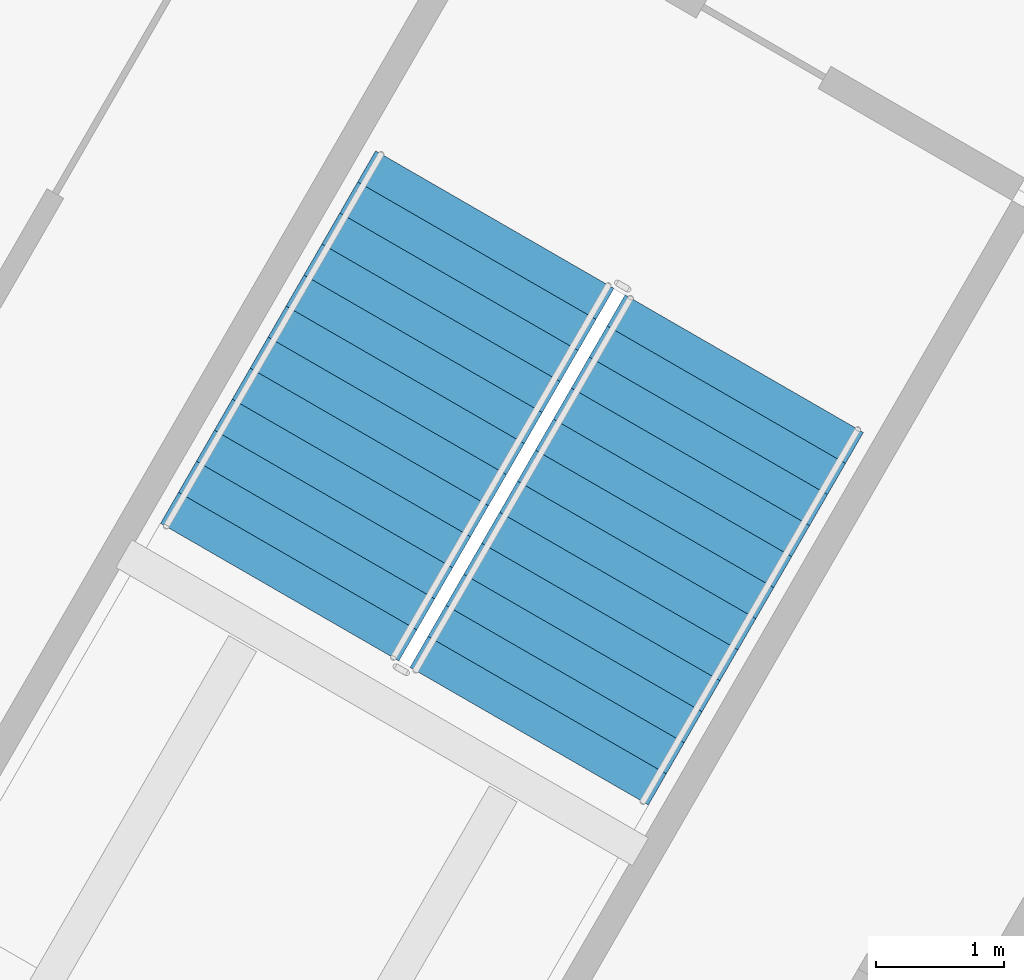
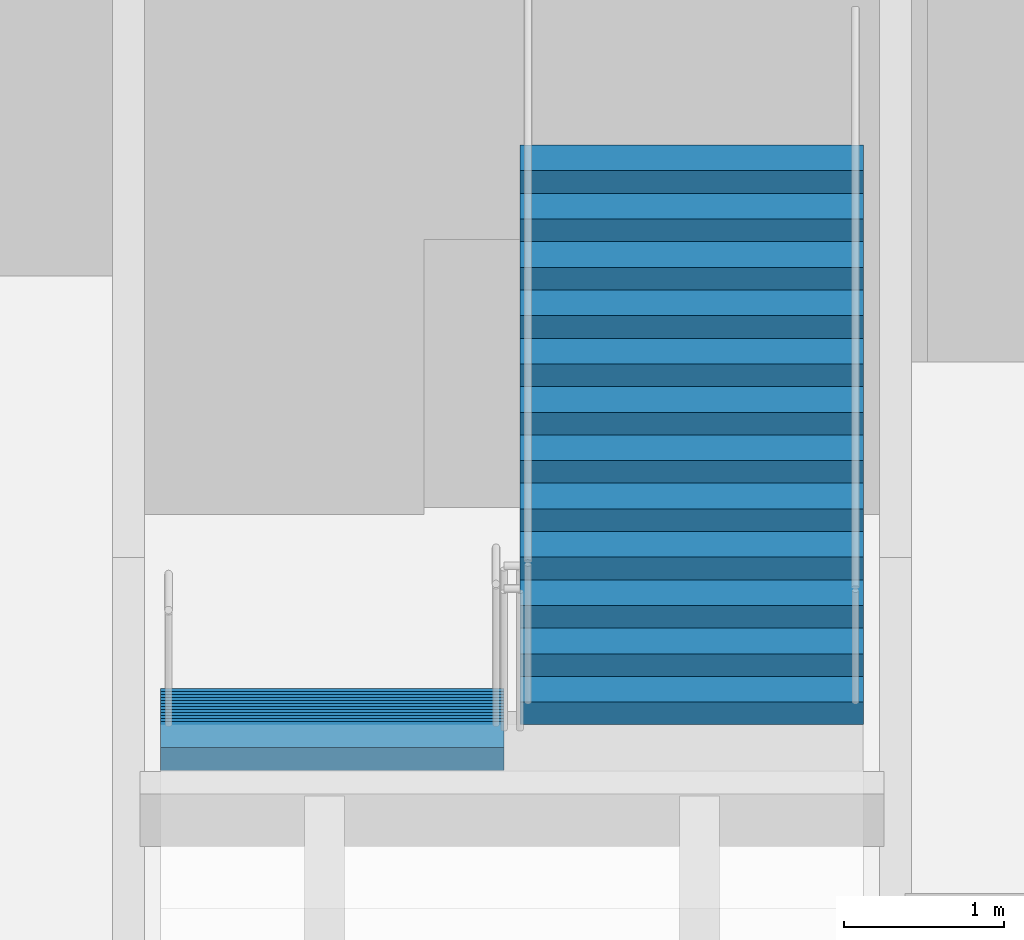
# One storey, part 11 of 21: 2 stair flights, 1 element without a shape of its own.
"""IFC4 building model written with IfcOpenShell, lengths in metres."""

import ifcopenshell
import ifcopenshell.guid

model = None  # the IFC model being written
_history = None  # IfcOwnerHistory: only IFC2X3 demands one
_inside = {}  # id of a spatial element -> (the spatial element, [elements in it])
_under = {}  # id of a project, library or spatial element -> (it, [spatial elements below it])
_declared = {}  # id of a project -> (the project, [libraries it declares])
_typed = {}  # id of a type object -> (the type object, [elements of that type])
_made_of = {}  # id of a material, layer set ... -> (it, [elements and type objects made of it])


def new_model(schema):
    """Start an empty IFC model of exactly this schema.

    Asked for "IFC4X3", IfcOpenShell would pick the latest addendum, in which some entities
    have other attributes; the version numbers below select the first issue.
    IFC2X3 requires an IfcOwnerHistory on every rooted entity: one is made here for all.
    """
    global model, _history
    if schema == "IFC4X3":
        model = ifcopenshell.file(schema_version=(4, 3, 0, 0))
    else:
        model = ifcopenshell.file(schema=schema)
    _inside.clear()
    _under.clear()
    _declared.clear()
    _typed.clear()
    _made_of.clear()
    _history = None
    if model.schema == "IFC2X3":
        org = make("IfcOrganization", Name="unknown")
        user = make(
            "IfcPersonAndOrganization",
            ThePerson=make("IfcPerson", FamilyName="unknown"),
            TheOrganization=org,
        )
        app = make(
            "IfcApplication",
            ApplicationDeveloper=org,
            Version="unknown",
            ApplicationFullName="unknown",
            ApplicationIdentifier="unknown",
        )
        _history = make(
            "IfcOwnerHistory",
            OwningUser=user,
            OwningApplication=app,
            ChangeAction="ADDED",
            CreationDate=0,
        )
    return model


def make(cls, **values):
    """One entity of the class cls with the attributes given. An attribute that is None is left unset."""
    return model.create_entity(
        cls, **{name: value for name, value in values.items() if value is not None}
    )


def rooted(cls, **values):
    """An entity with a GlobalId (a new one), such as an element, a storey or a relation."""
    return make(cls, GlobalId=ifcopenshell.guid.new(), OwnerHistory=_history, **values)


def si_unit(unit_type, name, prefix=None):
    """IfcSIUnit, for example si_unit("LENGTHUNIT", "METRE", prefix="MILLI")."""
    return make("IfcSIUnit", UnitType=unit_type, Prefix=prefix, Name=name)


def assignment(units):
    """IfcUnitAssignment: the units of a project."""
    return None if units is None else make("IfcUnitAssignment", Units=units)


def point(xyz):
    """IfcCartesianPoint."""
    return None if xyz is None else make("IfcCartesianPoint", Coordinates=xyz)


def direction(xyz):
    """IfcDirection."""
    return None if xyz is None else make("IfcDirection", DirectionRatios=xyz)


def frame(location, z_axis=None, x_axis=None):
    """IfcAxis2Placement3D, a coordinate frame: its origin and axes. An axis left out is left unset."""
    return make(
        "IfcAxis2Placement3D",
        Location=point(location),
        Axis=direction(z_axis),
        RefDirection=direction(x_axis),
    )


def origin():
    """The frame at (0, 0, 0) with its axes left unset."""
    return frame((0.0, 0.0, 0.0))


def place(relative_to, where):
    """IfcLocalPlacement: puts the frame where relative to a parent placement (None: the world)."""
    return make(
        "IfcLocalPlacement", PlacementRelTo=relative_to, RelativePlacement=where
    )


def context(
    kind, dimensions, precision=None, world=None, true_north=None, identifier=None
):
    """IfcGeometricRepresentationContext, for example the 3D "Model" context."""
    return make(
        "IfcGeometricRepresentationContext",
        ContextIdentifier=identifier,
        ContextType=kind,
        CoordinateSpaceDimension=dimensions,
        Precision=precision,
        WorldCoordinateSystem=world,
        TrueNorth=true_north,
    )


def subcontext(parent, identifier, kind, view, scale=None):
    """IfcGeometricRepresentationSubContext, for example "Body" below "Model"."""
    return make(
        "IfcGeometricRepresentationSubContext",
        ContextIdentifier=identifier,
        ContextType=kind,
        ParentContext=parent,
        TargetScale=scale,
        TargetView=view,
    )


def project(units=None, contexts=None):
    """IfcProject with its units and contexts."""
    return rooted(
        "IfcProject",
        Name="project",
        RepresentationContexts=contexts,
        UnitsInContext=assignment(units),
    )


def spatial(cls, under=None, at=None, **own):
    """A site, building, storey or space (cls), placed at a placement, below another one or the project."""
    s = rooted(cls, ObjectPlacement=at, **own)
    if under is not None:
        _under.setdefault(under.id(), (under, []))[1].append(s)
    return s


def point_list(points):
    """IfcCartesianPointList2D or 3D."""
    cls = (
        "IfcCartesianPointList2D" if len(points[0]) == 2 else "IfcCartesianPointList3D"
    )
    return make(cls, CoordList=points)


def triangles(points, corners, closed=None, point_numbers=None):
    """IfcTriangulatedFaceSet: each triangle names its three corners, points numbered from 1."""
    return make(
        "IfcTriangulatedFaceSet",
        Coordinates=point_list(points),
        Closed=closed,
        CoordIndex=corners,
        PnIndex=point_numbers,
    )


def shape(context_of_items, identifier, shape_type, items):
    """IfcShapeRepresentation: the items that make up one representation, for example the "Body"."""
    return make(
        "IfcShapeRepresentation",
        ContextOfItems=context_of_items,
        RepresentationIdentifier=identifier,
        RepresentationType=shape_type,
        Items=items,
    )


def material(Name=None, Category=None):
    """IfcMaterial."""
    return make("IfcMaterial", Name=Name, Category=Category)


def made_of(thing, what):
    """Note that an element or type object is made of a material, layer set ...; save() writes the relation."""
    if what is not None:
        _made_of.setdefault(what.id(), (what, []))[1].append(thing)
    return thing


def type_object(cls, material=None, **own):
    """A type object (cls), such as IfcWallType, which elements share."""
    return made_of(rooted(cls, **own), material)


def element(
    cls,
    number,
    at=None,
    inside=None,
    cuts=None,
    type_object=None,
    material=None,
    context=None,
    identifier="Body",
    shape_type=None,
    held_by="IfcProductDefinitionShape",
    body=None,
    shapes=None,
    **own,
):
    """One element of the class cls, such as IfcWall. Its Tag is "e" and its number.

    at: its placement. inside: the storey or other place that contains it. cuts: it is an
    opening in that element (IfcRelVoidsElement). A single representation is given by context,
    identifier, shape_type and body (its items); several are given by shapes. held_by: the class
    of the entity that holds the representations. save() writes the other relations.
    """
    e = rooted(cls, Tag="e%d" % number, ObjectPlacement=at, **own)
    if body is not None:
        shapes = [shape(context, identifier, shape_type, body)]
    if shapes is not None:
        e.Representation = make(held_by, Representations=shapes)
    if inside is not None:
        _inside.setdefault(inside.id(), (inside, []))[1].append(e)
    if cuts is not None:
        rooted(
            "IfcRelVoidsElement", RelatingBuildingElement=cuts, RelatedOpeningElement=e
        )
    if type_object is not None:
        _typed.setdefault(type_object.id(), (type_object, []))[1].append(e)
    return made_of(e, material)


def aggregate(whole, parts):
    """IfcRelAggregates: a whole, such as a stair, and the parts it consists of."""
    return rooted("IfcRelAggregates", RelatingObject=whole, RelatedObjects=parts)


def save(model, path):
    """Write the relations noted so far, then the file.

    IfcRelAggregates (storeys below a building ...), IfcRelContainedInSpatialStructure (elements
    in a storey), IfcRelDefinesByType, IfcRelAssociatesMaterial and IfcRelDeclares: one each for
    every whole, place, type object, material and project.
    """
    for whole, parts in _under.values():
        aggregate(whole, parts)
    for where, things in _inside.values():
        rooted(
            "IfcRelContainedInSpatialStructure",
            RelatedElements=things,
            RelatingStructure=where,
        )
    for kind, things in _typed.values():
        rooted("IfcRelDefinesByType", RelatedObjects=things, RelatingType=kind)
    for what, things in _made_of.values():
        rooted("IfcRelAssociatesMaterial", RelatedObjects=things, RelatingMaterial=what)
    for by, libraries in _declared.values():
        rooted("IfcRelDeclares", RelatingContext=by, RelatedDefinitions=libraries)
    model.write(path)


model = new_model("IFC4")

# Units and contexts
model_context = context("Model", 3, precision=1e-05, world=origin(), true_north=direction((0.0, 1.0)))
body_context = subcontext(model_context, "Body", "Model", "MODEL_VIEW")
ifc_project = project(units=[si_unit("LENGTHUNIT", "METRE"), si_unit("AREAUNIT", "SQUARE_METRE"), si_unit("VOLUMEUNIT", "CUBIC_METRE"), si_unit("PLANEANGLEUNIT", "RADIAN"), si_unit("MASSUNIT", "GRAM", prefix="KILO")], contexts=[model_context])

# Site, building, storey
site_placement = place(None, origin())
site = spatial("IfcSite", under=ifc_project, at=site_placement, CompositionType="ELEMENT")
building_placement = place(site_placement, origin())
building = spatial("IfcBuilding", under=site, at=building_placement, Name="Verdalira Terraces Hotel", CompositionType="ELEMENT")
storey_placement = place(building_placement, frame((0.0, 0.0, 19.0)))
storey = spatial("IfcBuildingStorey", under=building, at=storey_placement, Name="L03", CompositionType="ELEMENT", Elevation=19.0)

# Stair, stair flights
ifc_material_1 = material(Name="Concrete C40", Category="concrete")
stair_type = type_object("IfcStairType", Name="Podium stair 26 risers", PredefinedType="HALF_TURN_STAIR", material=ifc_material_1)
stair_placement = place(storey_placement, origin())
stair = element("IfcStair", 1, at=stair_placement, inside=storey, type_object=stair_type, Name="L03 Exit stair PS3", PredefinedType="HALF_TURN_STAIR")
ifc_material_2 = material(Name="Concrete C40", Category="concrete")
stair_flight_type = type_object("IfcStairFlightType", Name="Podium stair flight 26 risers", PredefinedType="STRAIGHT", material=ifc_material_2)
stair_flight_1_placement = place(storey_placement, frame((27.806396, -15.187988, 0.0), z_axis=(0.0, 0.0, 1.0), x_axis=(-0.5, -0.866025404, 0.0)))
stair_flight_1 = element("IfcStairFlight", 2, at=stair_flight_1_placement, type_object=stair_flight_type, Name="PS3 flight 1", NumberOfRisers=13, NumberOfTreads=12, PredefinedType="STRAIGHT", RiserHeight=0.173076923, TreadLength=0.28, context=body_context, shape_type="Tessellation", body=[
    triangles([(0.0, 1.074951, 0.0), (0.285156, 1.074951, 0.0), (3.360107, 1.074951, 1.900635), (0.0, -1.074951, 0.0), (0.285156, -1.074951, 0.0), (3.360107, -1.074951, 1.900635), (3.360107, 1.074951, 2.076904), (3.080078, 1.074951, 2.076904), (3.360107, -1.074951, 2.076904), (3.080078, -1.074951, 2.076904), (3.080078, 1.074951, 1.903809), (3.080078, -1.074951, 1.903809), (2.800049, 1.074951, 1.903809), (2.800049, -1.074951, 1.903809), (2.800049, 1.074951, 1.730713), (2.800049, -1.074951, 1.730713), (2.52002, 1.074951, 1.730713), (2.52002, 1.074951, 1.557617), (2.52002, -1.074951, 1.730713), (2.52002, -1.074951, 1.557617), (2.23999, 1.074951, 1.557617), (2.23999, 1.074951, 1.384521), (2.23999, -1.074951, 1.557617), (2.23999, -1.074951, 1.384521), (1.959961, 1.074951, 1.384521), (1.959961, 1.074951, 1.211426), (1.959961, -1.074951, 1.384521), (1.959961, -1.074951, 1.211426), (1.679932, 1.074951, 1.211426), (1.679932, 1.074951, 1.038574), (1.679932, -1.074951, 1.211426), (1.679932, -1.074951, 1.038574), (1.399902, 1.074951, 1.038574), (1.399902, 1.074951, 0.865479), (1.399902, -1.074951, 1.038574), (1.399902, -1.074951, 0.865479), (1.120117, 1.074951, 0.865479), (1.120117, 1.074951, 0.692383), (1.120117, -1.074951, 0.865479), (1.120117, -1.074951, 0.692383), (0.840088, 1.074951, 0.692383), (0.840088, 1.074951, 0.519287), (0.840088, -1.074951, 0.692383), (0.840088, -1.074951, 0.519287), (0.560059, 1.074951, 0.519287), (0.560059, 1.074951, 0.346191), (0.560059, -1.074951, 0.519287), (0.560059, -1.074951, 0.346191), (0.280029, 1.074951, 0.346191), (0.280029, 1.074951, 0.173096), (0.280029, -1.074951, 0.346191), (0.280029, -1.074951, 0.173096), (0.0, 1.074951, 0.173096), (0.0, -1.074951, 0.173096), (0.0, -1.007767, 0.0), (0.0, -1.007767, 0.173096), (0.0, -0.940582, 0.0), (0.0, -0.940582, 0.173096), (0.0, -0.873398, 0.0), (0.0, -0.873398, 0.173096), (0.0, -0.806213, 0.0), (0.0, -0.806213, 0.173096), (0.0, -0.739029, 0.0), (0.0, -0.739029, 0.173096), (0.0, -0.671844, 0.0), (0.0, -0.671844, 0.173096), (0.0, -0.60466, 0.0), (0.0, -0.60466, 0.173096), (0.0, -0.537476, 0.0), (0.0, -0.537476, 0.173096), (0.0, -0.470291, 0.0), (0.0, -0.470291, 0.173096), (0.0, -0.403107, 0.0), (0.0, -0.403107, 0.173096), (0.0, -0.335922, 0.0), (0.0, -0.335922, 0.173096), (0.0, -0.268738, 0.0), (0.0, -0.268738, 0.173096), (0.0, -0.201553, 0.0), (0.0, -0.201553, 0.173096), (0.0, -0.134369, 0.0), (0.0, -0.134369, 0.173096), (0.0, -0.067184, 0.0), (0.0, -0.067184, 0.173096), (0.0, 0.0, 0.0), (0.0, 0.0, 0.173096), (0.0, 0.067184, 0.0), (0.0, 0.067184, 0.173096), (0.0, 0.134369, 0.0), (0.0, 0.134369, 0.173096), (0.0, 0.201553, 0.0), (0.0, 0.201553, 0.173096), (0.0, 0.268738, 0.0), (0.0, 0.268738, 0.173096), (0.0, 0.335922, 0.0), (0.0, 0.335922, 0.173096), (0.0, 0.403107, 0.0), (0.0, 0.403107, 0.173096), (0.0, 0.470291, 0.0), (0.0, 0.470291, 0.173096), (0.0, 0.537476, 0.0), (0.0, 0.537476, 0.173096), (0.0, 0.60466, 0.0), (0.0, 0.60466, 0.173096), (0.0, 0.671844, 0.0), (0.0, 0.671844, 0.173096), (0.0, 0.739029, 0.0), (0.0, 0.739029, 0.173096), (0.0, 0.806213, 0.0), (0.0, 0.806213, 0.173096), (0.0, 0.873398, 0.0), (0.0, 0.873398, 0.173096), (0.0, 0.940582, 0.0), (0.0, 0.940582, 0.173096), (0.0, 1.007767, 0.0), (0.0, 1.007767, 0.173096), (3.360107, -1.007767, 2.076904), (3.360107, -0.940582, 2.076904), (3.360107, -0.873398, 2.076904), (3.360107, -0.806213, 2.076904), (3.360107, -0.739029, 2.076904), (3.360107, -0.671844, 2.076904), (3.360107, -0.60466, 2.076904), (3.360107, -0.537476, 2.076904), (3.360107, -0.470291, 2.076904), (3.360107, -0.403107, 2.076904), (3.360107, -0.335922, 2.076904), (3.360107, -0.268738, 2.076904), (3.360107, -0.201553, 2.076904), (3.360107, -0.134369, 2.076904), (3.360107, -0.067184, 2.076904), (3.360107, 0.0, 2.076904), (3.360107, 0.067184, 2.076904), (3.360107, 0.134369, 2.076904), (3.360107, 0.201553, 2.076904), (3.360107, 0.268738, 2.076904), (3.360107, 0.335922, 2.076904), (3.360107, 0.403107, 2.076904), (3.360107, 0.470291, 2.076904), (3.360107, 0.537476, 2.076904), (3.360107, 0.60466, 2.076904), (3.360107, 0.671844, 2.076904), (3.360107, 0.739029, 2.076904), (3.360107, 0.806213, 2.076904), (3.360107, 0.873398, 2.076904), (3.360107, 0.940582, 2.076904), (3.360107, 1.007767, 2.076904), (3.360107, -1.007767, 1.900635), (3.360107, -0.940582, 1.900635), (3.360107, -0.873398, 1.900635), (3.360107, -0.806213, 1.900635), (3.360107, -0.739029, 1.900635), (3.360107, -0.671844, 1.900635), (3.360107, -0.60466, 1.900635), (3.360107, -0.537476, 1.900635), (3.360107, -0.470291, 1.900635), (3.360107, -0.403107, 1.900635), (3.360107, -0.335922, 1.900635), (3.360107, -0.268738, 1.900635), (3.360107, -0.201553, 1.900635), (3.360107, -0.134369, 1.900635), (3.360107, -0.067184, 1.900635), (3.360107, 0.0, 1.900635), (3.360107, 0.067184, 1.900635), (3.360107, 0.134369, 1.900635), (3.360107, 0.201553, 1.900635), (3.360107, 0.268738, 1.900635), (3.360107, 0.335922, 1.900635), (3.360107, 0.403107, 1.900635), (3.360107, 0.470291, 1.900635), (3.360107, 0.537476, 1.900635), (3.360107, 0.60466, 1.900635), (3.360107, 0.671844, 1.900635), (3.360107, 0.739029, 1.900635), (3.360107, 0.806213, 1.900635), (3.360107, 0.873398, 1.900635), (3.360107, 0.940582, 1.900635), (3.360107, 1.007767, 1.900635)], [[1, 3, 2], [4, 5, 6], [3, 8, 7], [6, 9, 10], [3, 11, 8], [6, 10, 12], [3, 13, 11], [6, 12, 14], [3, 15, 13], [6, 14, 16], [15, 18, 17], [16, 19, 20], [3, 18, 15], [6, 16, 20], [18, 22, 21], [20, 23, 24], [3, 22, 18], [6, 20, 24], [22, 26, 25], [24, 27, 28], [3, 26, 22], [6, 24, 28], [1, 26, 3], [4, 6, 28], [26, 30, 29], [28, 31, 32], [30, 34, 33], [32, 35, 36], [26, 34, 30], [28, 32, 36], [34, 38, 37], [36, 39, 40], [26, 38, 34], [28, 36, 40], [38, 42, 41], [40, 43, 44], [26, 42, 38], [28, 40, 44], [42, 46, 45], [44, 47, 48], [26, 46, 42], [28, 44, 48], [46, 50, 49], [48, 51, 52], [26, 50, 46], [28, 48, 52], [1, 50, 26], [4, 28, 52], [50, 1, 53], [52, 54, 4], [4, 56, 55], [4, 54, 56], [55, 58, 57], [55, 56, 58], [57, 60, 59], [57, 58, 60], [59, 62, 61], [59, 60, 62], [61, 64, 63], [61, 62, 64], [63, 66, 65], [63, 64, 66], [65, 68, 67], [65, 66, 68], [67, 70, 69], [67, 68, 70], [69, 72, 71], [69, 70, 72], [71, 74, 73], [71, 72, 74], [73, 76, 75], [73, 74, 76], [75, 78, 77], [75, 76, 78], [77, 80, 79], [77, 78, 80], [79, 82, 81], [79, 80, 82], [81, 84, 83], [81, 82, 84], [83, 86, 85], [83, 84, 86], [85, 88, 87], [85, 86, 88], [87, 90, 89], [87, 88, 90], [89, 92, 91], [89, 90, 92], [91, 94, 93], [91, 92, 94], [93, 96, 95], [93, 94, 96], [95, 98, 97], [95, 96, 98], [97, 100, 99], [97, 98, 100], [99, 102, 101], [99, 100, 102], [101, 104, 103], [101, 102, 104], [103, 106, 105], [103, 104, 106], [105, 108, 107], [105, 106, 108], [107, 110, 109], [107, 108, 110], [109, 112, 111], [109, 110, 112], [111, 114, 113], [111, 112, 114], [113, 116, 115], [113, 114, 116], [115, 53, 1], [115, 116, 53], [54, 52, 56], [56, 52, 58], [58, 52, 60], [60, 52, 62], [62, 52, 64], [64, 52, 66], [66, 52, 68], [68, 52, 70], [70, 52, 72], [72, 52, 74], [74, 52, 76], [76, 52, 78], [78, 52, 80], [80, 52, 82], [82, 52, 84], [84, 52, 86], [86, 52, 88], [88, 52, 90], [90, 52, 92], [92, 52, 94], [94, 52, 96], [96, 52, 98], [98, 52, 100], [100, 52, 102], [102, 52, 104], [104, 52, 106], [106, 52, 108], [108, 52, 110], [110, 52, 112], [112, 52, 114], [114, 52, 116], [116, 52, 53], [53, 52, 50], [52, 49, 50], [52, 51, 49], [51, 46, 49], [51, 48, 46], [48, 45, 46], [48, 47, 45], [47, 42, 45], [47, 44, 42], [44, 41, 42], [44, 43, 41], [43, 38, 41], [43, 40, 38], [40, 37, 38], [40, 39, 37], [39, 34, 37], [39, 36, 34], [36, 33, 34], [36, 35, 33], [35, 30, 33], [35, 32, 30], [32, 29, 30], [32, 31, 29], [31, 26, 29], [31, 28, 26], [28, 25, 26], [28, 27, 25], [27, 22, 25], [27, 24, 22], [24, 21, 22], [24, 23, 21], [23, 18, 21], [23, 20, 18], [20, 17, 18], [20, 19, 17], [19, 15, 17], [19, 16, 15], [16, 13, 15], [16, 14, 13], [14, 11, 13], [14, 12, 11], [12, 8, 11], [12, 10, 8], [9, 117, 10], [117, 118, 10], [118, 119, 10], [119, 120, 10], [120, 121, 10], [121, 122, 10], [122, 123, 10], [123, 124, 10], [124, 125, 10], [125, 126, 10], [126, 127, 10], [127, 128, 10], [128, 129, 10], [129, 130, 10], [130, 131, 10], [131, 132, 10], [132, 133, 10], [133, 134, 10], [134, 135, 10], [135, 136, 10], [136, 137, 10], [137, 138, 10], [138, 139, 10], [139, 140, 10], [140, 141, 10], [141, 142, 10], [142, 143, 10], [143, 144, 10], [144, 145, 10], [145, 146, 10], [146, 147, 10], [147, 7, 10], [7, 8, 10], [9, 148, 117], [9, 6, 148], [117, 149, 118], [117, 148, 149], [118, 150, 119], [118, 149, 150], [119, 151, 120], [119, 150, 151], [120, 152, 121], [120, 151, 152], [121, 153, 122], [121, 152, 153], [122, 154, 123], [122, 153, 154], [123, 155, 124], [123, 154, 155], [124, 156, 125], [124, 155, 156], [125, 157, 126], [125, 156, 157], [126, 158, 127], [126, 157, 158], [127, 159, 128], [127, 158, 159], [128, 160, 129], [128, 159, 160], [129, 161, 130], [129, 160, 161], [130, 162, 131], [130, 161, 162], [131, 163, 132], [131, 162, 163], [132, 164, 133], [132, 163, 164], [133, 165, 134], [133, 164, 165], [134, 166, 135], [134, 165, 166], [135, 167, 136], [135, 166, 167], [136, 168, 137], [136, 167, 168], [137, 169, 138], [137, 168, 169], [138, 170, 139], [138, 169, 170], [139, 171, 140], [139, 170, 171], [140, 172, 141], [140, 171, 172], [141, 173, 142], [141, 172, 173], [142, 174, 143], [142, 173, 174], [143, 175, 144], [143, 174, 175], [144, 176, 145], [144, 175, 176], [145, 177, 146], [145, 176, 177], [146, 178, 147], [146, 177, 178], [147, 3, 7], [147, 178, 3], [6, 5, 148], [148, 5, 149], [149, 5, 150], [150, 5, 151], [151, 5, 152], [152, 5, 153], [153, 5, 154], [154, 5, 155], [155, 5, 156], [156, 5, 157], [157, 5, 158], [158, 5, 159], [159, 5, 160], [160, 5, 161], [161, 5, 162], [162, 5, 163], [163, 5, 164], [164, 5, 165], [165, 5, 166], [166, 5, 167], [167, 5, 168], [168, 5, 169], [169, 5, 170], [170, 5, 171], [171, 5, 172], [172, 5, 173], [173, 5, 174], [174, 5, 175], [175, 5, 176], [176, 5, 177], [177, 5, 178], [178, 5, 3], [3, 5, 2], [4, 55, 5], [55, 57, 5], [57, 59, 5], [59, 61, 5], [61, 63, 5], [63, 65, 5], [65, 67, 5], [67, 69, 5], [69, 71, 5], [71, 73, 5], [73, 75, 5], [75, 77, 5], [77, 79, 5], [79, 81, 5], [81, 83, 5], [83, 85, 5], [85, 87, 5], [87, 89, 5], [89, 91, 5], [91, 93, 5], [93, 95, 5], [95, 97, 5], [97, 99, 5], [99, 101, 5], [101, 103, 5], [103, 105, 5], [105, 107, 5], [107, 109, 5], [109, 111, 5], [111, 113, 5], [113, 115, 5], [115, 1, 5], [1, 2, 5]], closed=True),
])
stair_flight_2_placement = place(storey_placement, frame((28.074951, -19.2229, 2.25), z_axis=(0.0, 0.0, 1.0), x_axis=(0.5, 0.866025404, 0.0)))
stair_flight_2 = element("IfcStairFlight", 3, at=stair_flight_2_placement, type_object=stair_flight_type, Name="PS3 flight 2", NumberOfRisers=13, NumberOfTreads=12, PredefinedType="STRAIGHT", RiserHeight=0.173076923, TreadLength=0.28, context=body_context, shape_type="Tessellation", body=[
    triangles([(0.0, 1.074951, 0.0), (0.285156, 1.074951, 0.0), (3.360107, 1.074951, 1.900635), (0.0, -1.074951, 0.0), (0.285156, -1.074951, 0.0), (3.360107, -1.074951, 1.900635), (3.360107, 1.074951, 2.076904), (3.080078, 1.074951, 2.076904), (3.360107, -1.074951, 2.076904), (3.080078, -1.074951, 2.076904), (3.080078, 1.074951, 1.903809), (3.080078, -1.074951, 1.903809), (2.800049, 1.074951, 1.903809), (2.800049, -1.074951, 1.903809), (2.800049, 1.074951, 1.730713), (2.800049, -1.074951, 1.730713), (2.52002, 1.074951, 1.730713), (2.52002, 1.074951, 1.557617), (2.52002, -1.074951, 1.730713), (2.52002, -1.074951, 1.557617), (2.23999, 1.074951, 1.557617), (2.23999, 1.074951, 1.384521), (2.23999, -1.074951, 1.557617), (2.23999, -1.074951, 1.384521), (1.959961, 1.074951, 1.384521), (1.959961, 1.074951, 1.211426), (1.959961, -1.074951, 1.384521), (1.959961, -1.074951, 1.211426), (1.679932, 1.074951, 1.211426), (1.679932, 1.074951, 1.038574), (1.679932, -1.074951, 1.211426), (1.679932, -1.074951, 1.038574), (1.399902, 1.074951, 1.038574), (1.399902, 1.074951, 0.865479), (1.399902, -1.074951, 1.038574), (1.399902, -1.074951, 0.865479), (1.120117, 1.074951, 0.865479), (1.120117, 1.074951, 0.692383), (1.120117, -1.074951, 0.865479), (1.120117, -1.074951, 0.692383), (0.840088, 1.074951, 0.692383), (0.840088, 1.074951, 0.519287), (0.840088, -1.074951, 0.692383), (0.840088, -1.074951, 0.519287), (0.560059, 1.074951, 0.519287), (0.560059, 1.074951, 0.346191), (0.560059, -1.074951, 0.519287), (0.560059, -1.074951, 0.346191), (0.280029, 1.074951, 0.346191), (0.280029, 1.074951, 0.173096), (0.280029, -1.074951, 0.346191), (0.280029, -1.074951, 0.173096), (0.0, 1.074951, 0.173096), (0.0, -1.074951, 0.173096), (0.0, -1.007767, 0.0), (0.0, -1.007767, 0.173096), (0.0, -0.940582, 0.0), (0.0, -0.940582, 0.173096), (0.0, -0.873398, 0.0), (0.0, -0.873398, 0.173096), (0.0, -0.806213, 0.0), (0.0, -0.806213, 0.173096), (0.0, -0.739029, 0.0), (0.0, -0.739029, 0.173096), (0.0, -0.671844, 0.0), (0.0, -0.671844, 0.173096), (0.0, -0.60466, 0.0), (0.0, -0.60466, 0.173096), (0.0, -0.537476, 0.0), (0.0, -0.537476, 0.173096), (0.0, -0.470291, 0.0), (0.0, -0.470291, 0.173096), (0.0, -0.403107, 0.0), (0.0, -0.403107, 0.173096), (0.0, -0.335922, 0.0), (0.0, -0.335922, 0.173096), (0.0, -0.268738, 0.0), (0.0, -0.268738, 0.173096), (0.0, -0.201553, 0.0), (0.0, -0.201553, 0.173096), (0.0, -0.134369, 0.0), (0.0, -0.134369, 0.173096), (0.0, -0.067184, 0.0), (0.0, -0.067184, 0.173096), (0.0, 0.0, 0.0), (0.0, 0.0, 0.173096), (0.0, 0.067184, 0.0), (0.0, 0.067184, 0.173096), (0.0, 0.134369, 0.0), (0.0, 0.134369, 0.173096), (0.0, 0.201553, 0.0), (0.0, 0.201553, 0.173096), (0.0, 0.268738, 0.0), (0.0, 0.268738, 0.173096), (0.0, 0.335922, 0.0), (0.0, 0.335922, 0.173096), (0.0, 0.403107, 0.0), (0.0, 0.403107, 0.173096), (0.0, 0.470291, 0.0), (0.0, 0.470291, 0.173096), (0.0, 0.537476, 0.0), (0.0, 0.537476, 0.173096), (0.0, 0.60466, 0.0), (0.0, 0.60466, 0.173096), (0.0, 0.671844, 0.0), (0.0, 0.671844, 0.173096), (0.0, 0.739029, 0.0), (0.0, 0.739029, 0.173096), (0.0, 0.806213, 0.0), (0.0, 0.806213, 0.173096), (0.0, 0.873398, 0.0), (0.0, 0.873398, 0.173096), (0.0, 0.940582, 0.0), (0.0, 0.940582, 0.173096), (0.0, 1.007767, 0.0), (0.0, 1.007767, 0.173096), (3.360107, -1.007767, 2.076904), (3.360107, -0.940582, 2.076904), (3.360107, -0.873398, 2.076904), (3.360107, -0.806213, 2.076904), (3.360107, -0.739029, 2.076904), (3.360107, -0.671844, 2.076904), (3.360107, -0.60466, 2.076904), (3.360107, -0.537476, 2.076904), (3.360107, -0.470291, 2.076904), (3.360107, -0.403107, 2.076904), (3.360107, -0.335922, 2.076904), (3.360107, -0.268738, 2.076904), (3.360107, -0.201553, 2.076904), (3.360107, -0.134369, 2.076904), (3.360107, -0.067184, 2.076904), (3.360107, 0.0, 2.076904), (3.360107, 0.067184, 2.076904), (3.360107, 0.134369, 2.076904), (3.360107, 0.201553, 2.076904), (3.360107, 0.268738, 2.076904), (3.360107, 0.335922, 2.076904), (3.360107, 0.403107, 2.076904), (3.360107, 0.470291, 2.076904), (3.360107, 0.537476, 2.076904), (3.360107, 0.60466, 2.076904), (3.360107, 0.671844, 2.076904), (3.360107, 0.739029, 2.076904), (3.360107, 0.806213, 2.076904), (3.360107, 0.873398, 2.076904), (3.360107, 0.940582, 2.076904), (3.360107, 1.007767, 2.076904), (3.360107, -1.007767, 1.900635), (3.360107, -0.940582, 1.900635), (3.360107, -0.873398, 1.900635), (3.360107, -0.806213, 1.900635), (3.360107, -0.739029, 1.900635), (3.360107, -0.671844, 1.900635), (3.360107, -0.60466, 1.900635), (3.360107, -0.537476, 1.900635), (3.360107, -0.470291, 1.900635), (3.360107, -0.403107, 1.900635), (3.360107, -0.335922, 1.900635), (3.360107, -0.268738, 1.900635), (3.360107, -0.201553, 1.900635), (3.360107, -0.134369, 1.900635), (3.360107, -0.067184, 1.900635), (3.360107, 0.0, 1.900635), (3.360107, 0.067184, 1.900635), (3.360107, 0.134369, 1.900635), (3.360107, 0.201553, 1.900635), (3.360107, 0.268738, 1.900635), (3.360107, 0.335922, 1.900635), (3.360107, 0.403107, 1.900635), (3.360107, 0.470291, 1.900635), (3.360107, 0.537476, 1.900635), (3.360107, 0.60466, 1.900635), (3.360107, 0.671844, 1.900635), (3.360107, 0.739029, 1.900635), (3.360107, 0.806213, 1.900635), (3.360107, 0.873398, 1.900635), (3.360107, 0.940582, 1.900635), (3.360107, 1.007767, 1.900635)], [[1, 3, 2], [4, 5, 6], [3, 8, 7], [6, 9, 10], [3, 11, 8], [6, 10, 12], [3, 13, 11], [6, 12, 14], [3, 15, 13], [6, 14, 16], [15, 18, 17], [16, 19, 20], [3, 18, 15], [6, 16, 20], [18, 22, 21], [20, 23, 24], [3, 22, 18], [6, 20, 24], [22, 26, 25], [24, 27, 28], [3, 26, 22], [6, 24, 28], [1, 26, 3], [4, 6, 28], [26, 30, 29], [28, 31, 32], [30, 34, 33], [32, 35, 36], [26, 34, 30], [28, 32, 36], [34, 38, 37], [36, 39, 40], [26, 38, 34], [28, 36, 40], [38, 42, 41], [40, 43, 44], [26, 42, 38], [28, 40, 44], [42, 46, 45], [44, 47, 48], [26, 46, 42], [28, 44, 48], [46, 50, 49], [48, 51, 52], [26, 50, 46], [28, 48, 52], [1, 50, 26], [4, 28, 52], [50, 1, 53], [52, 54, 4], [4, 56, 55], [4, 54, 56], [55, 58, 57], [55, 56, 58], [57, 60, 59], [57, 58, 60], [59, 62, 61], [59, 60, 62], [61, 64, 63], [61, 62, 64], [63, 66, 65], [63, 64, 66], [65, 68, 67], [65, 66, 68], [67, 70, 69], [67, 68, 70], [69, 72, 71], [69, 70, 72], [71, 74, 73], [71, 72, 74], [73, 76, 75], [73, 74, 76], [75, 78, 77], [75, 76, 78], [77, 80, 79], [77, 78, 80], [79, 82, 81], [79, 80, 82], [81, 84, 83], [81, 82, 84], [83, 86, 85], [83, 84, 86], [85, 88, 87], [85, 86, 88], [87, 90, 89], [87, 88, 90], [89, 92, 91], [89, 90, 92], [91, 94, 93], [91, 92, 94], [93, 96, 95], [93, 94, 96], [95, 98, 97], [95, 96, 98], [97, 100, 99], [97, 98, 100], [99, 102, 101], [99, 100, 102], [101, 104, 103], [101, 102, 104], [103, 106, 105], [103, 104, 106], [105, 108, 107], [105, 106, 108], [107, 110, 109], [107, 108, 110], [109, 112, 111], [109, 110, 112], [111, 114, 113], [111, 112, 114], [113, 116, 115], [113, 114, 116], [115, 53, 1], [115, 116, 53], [54, 52, 56], [56, 52, 58], [58, 52, 60], [60, 52, 62], [62, 52, 64], [64, 52, 66], [66, 52, 68], [68, 52, 70], [70, 52, 72], [72, 52, 74], [74, 52, 76], [76, 52, 78], [78, 52, 80], [80, 52, 82], [82, 52, 84], [84, 52, 86], [86, 52, 88], [88, 52, 90], [90, 52, 92], [92, 52, 94], [94, 52, 96], [96, 52, 98], [98, 52, 100], [100, 52, 102], [102, 52, 104], [104, 52, 106], [106, 52, 108], [108, 52, 110], [110, 52, 112], [112, 52, 114], [114, 52, 116], [116, 52, 53], [53, 52, 50], [52, 49, 50], [52, 51, 49], [51, 46, 49], [51, 48, 46], [48, 45, 46], [48, 47, 45], [47, 42, 45], [47, 44, 42], [44, 41, 42], [44, 43, 41], [43, 38, 41], [43, 40, 38], [40, 37, 38], [40, 39, 37], [39, 34, 37], [39, 36, 34], [36, 33, 34], [36, 35, 33], [35, 30, 33], [35, 32, 30], [32, 29, 30], [32, 31, 29], [31, 26, 29], [31, 28, 26], [28, 25, 26], [28, 27, 25], [27, 22, 25], [27, 24, 22], [24, 21, 22], [24, 23, 21], [23, 18, 21], [23, 20, 18], [20, 17, 18], [20, 19, 17], [19, 15, 17], [19, 16, 15], [16, 13, 15], [16, 14, 13], [14, 11, 13], [14, 12, 11], [12, 8, 11], [12, 10, 8], [9, 117, 10], [117, 118, 10], [118, 119, 10], [119, 120, 10], [120, 121, 10], [121, 122, 10], [122, 123, 10], [123, 124, 10], [124, 125, 10], [125, 126, 10], [126, 127, 10], [127, 128, 10], [128, 129, 10], [129, 130, 10], [130, 131, 10], [131, 132, 10], [132, 133, 10], [133, 134, 10], [134, 135, 10], [135, 136, 10], [136, 137, 10], [137, 138, 10], [138, 139, 10], [139, 140, 10], [140, 141, 10], [141, 142, 10], [142, 143, 10], [143, 144, 10], [144, 145, 10], [145, 146, 10], [146, 147, 10], [147, 7, 10], [7, 8, 10], [9, 148, 117], [9, 6, 148], [117, 149, 118], [117, 148, 149], [118, 150, 119], [118, 149, 150], [119, 151, 120], [119, 150, 151], [120, 152, 121], [120, 151, 152], [121, 153, 122], [121, 152, 153], [122, 154, 123], [122, 153, 154], [123, 155, 124], [123, 154, 155], [124, 156, 125], [124, 155, 156], [125, 157, 126], [125, 156, 157], [126, 158, 127], [126, 157, 158], [127, 159, 128], [127, 158, 159], [128, 160, 129], [128, 159, 160], [129, 161, 130], [129, 160, 161], [130, 162, 131], [130, 161, 162], [131, 163, 132], [131, 162, 163], [132, 164, 133], [132, 163, 164], [133, 165, 134], [133, 164, 165], [134, 166, 135], [134, 165, 166], [135, 167, 136], [135, 166, 167], [136, 168, 137], [136, 167, 168], [137, 169, 138], [137, 168, 169], [138, 170, 139], [138, 169, 170], [139, 171, 140], [139, 170, 171], [140, 172, 141], [140, 171, 172], [141, 173, 142], [141, 172, 173], [142, 174, 143], [142, 173, 174], [143, 175, 144], [143, 174, 175], [144, 176, 145], [144, 175, 176], [145, 177, 146], [145, 176, 177], [146, 178, 147], [146, 177, 178], [147, 3, 7], [147, 178, 3], [6, 5, 148], [148, 5, 149], [149, 5, 150], [150, 5, 151], [151, 5, 152], [152, 5, 153], [153, 5, 154], [154, 5, 155], [155, 5, 156], [156, 5, 157], [157, 5, 158], [158, 5, 159], [159, 5, 160], [160, 5, 161], [161, 5, 162], [162, 5, 163], [163, 5, 164], [164, 5, 165], [165, 5, 166], [166, 5, 167], [167, 5, 168], [168, 5, 169], [169, 5, 170], [170, 5, 171], [171, 5, 172], [172, 5, 173], [173, 5, 174], [174, 5, 175], [175, 5, 176], [176, 5, 177], [177, 5, 178], [178, 5, 3], [3, 5, 2], [4, 55, 5], [55, 57, 5], [57, 59, 5], [59, 61, 5], [61, 63, 5], [63, 65, 5], [65, 67, 5], [67, 69, 5], [69, 71, 5], [71, 73, 5], [73, 75, 5], [75, 77, 5], [77, 79, 5], [79, 81, 5], [81, 83, 5], [83, 85, 5], [85, 87, 5], [87, 89, 5], [89, 91, 5], [91, 93, 5], [93, 95, 5], [95, 97, 5], [97, 99, 5], [99, 101, 5], [101, 103, 5], [103, 105, 5], [105, 107, 5], [107, 109, 5], [109, 111, 5], [111, 113, 5], [113, 115, 5], [115, 1, 5], [1, 2, 5]], closed=True),
])
aggregate(stair, [stair_flight_1, stair_flight_2])

save(model, "model.ifc")
